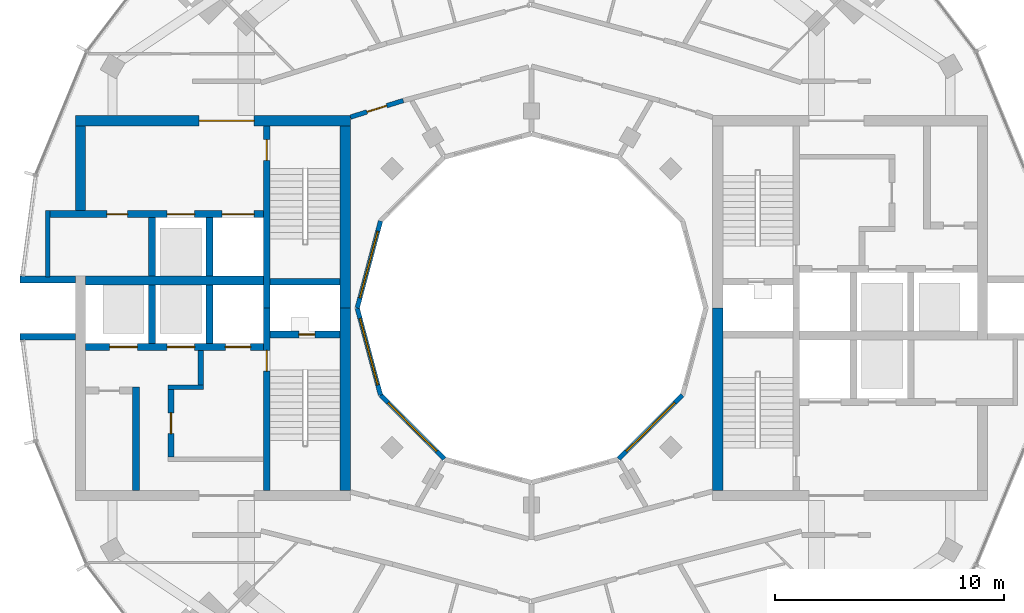
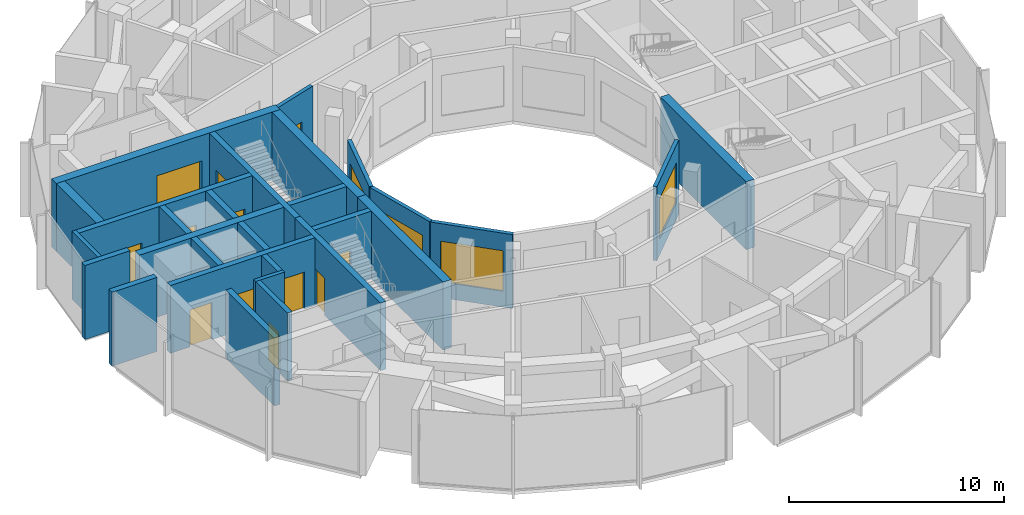
# One storey, part 9 of 14: 28 walls, 12 doors, 4 windows, 16 openings.
"""IFC4 building model written with IfcOpenShell, lengths in metres."""

from ifc_helpers import new_model, si_unit, direction, frame, frame_2d, origin, place, context, subcontext, project, spatial, rectangle, extrude, material, layer, layer_set, type_object, element, fill, save


model = new_model("IFC4")

# Units and contexts
model_context = context("Model", 3, precision=1e-05, world=origin(), true_north=direction((0.0, 1.0)))
body_context = subcontext(model_context, "Body", "Model", "MODEL_VIEW")
ifc_project = project(units=[si_unit("LENGTHUNIT", "METRE"), si_unit("AREAUNIT", "SQUARE_METRE"), si_unit("VOLUMEUNIT", "CUBIC_METRE"), si_unit("PLANEANGLEUNIT", "RADIAN"), si_unit("MASSUNIT", "GRAM", prefix="KILO")], contexts=[model_context])

# Site, building, storey
site_placement = place(None, origin())
site = spatial("IfcSite", under=ifc_project, at=site_placement, CompositionType="ELEMENT")
building_placement = place(site_placement, origin())
building = spatial("IfcBuilding", under=site, at=building_placement, Name="Torre Brocal", CompositionType="ELEMENT")
storey_placement = place(building_placement, frame((0.0, 0.0, 305.10009765625)))
storey = spatial("IfcBuildingStorey", under=building, at=storey_placement, Name="L70", CompositionType="ELEMENT", Elevation=305.10009765625)

# Walls
ifc_material_1 = material(Name="Masonry block", Category="masonry")
ifc_layer_1 = layer(ifc_material_1, 0.199951171875)
ifc_layer_set_1 = layer_set([ifc_layer_1], Name="Masonry block")
wall_type_1 = type_object("IfcWallType", Name="CORE PARTITION 200 UNDER 350 SLAB", PredefinedType="PARTITIONING", material=ifc_layer_set_1)
wall_1_placement = place(storey_placement, frame((58.89990234375, 79.25, 0.0), z_axis=(0.0, 0.0, 1.0), x_axis=(0.0, -1.0, 0.0)))
element("IfcWall", 1, at=wall_1_placement, inside=storey, type_object=wall_type_1, Name="Wall CP200-S350", PredefinedType="PARTITIONING", context=body_context, shape_type="SweptSolid", body=[
    extrude(rectangle(XDim=2.89990234375, YDim=0.199951171875, at=frame_2d((1.449951171875, 0.0))), origin(), (0.0, 0.0, 1.0), 3.849853515625),
])
ifc_material_2 = material(Name="Concrete C50", Category="concrete")
ifc_layer_2 = layer(ifc_material_2, 0.199951171875)
ifc_layer_set_2 = layer_set([ifc_layer_2], Name="Concrete C50")
wall_type_2 = type_object("IfcWallType", Name="CORE WALL 200 C50 UNDER 350 SLAB", PredefinedType="SHEAR", material=ifc_layer_set_2)
wall_2_placement = place(storey_placement, frame((65.699951171875, 71.550048828125, 0.0), z_axis=(0.0, 0.0, 1.0), x_axis=(-1.0, 0.0, 0.0)))
element("IfcWall", 2, at=wall_2_placement, inside=storey, type_object=wall_type_2, Name="Wall CW200-50-S350", PredefinedType="SHEAR", context=body_context, shape_type="SweptSolid", body=[
    extrude(rectangle(XDim=1.550048828125, YDim=0.199951171875, at=frame_2d((0.77490234375, 0.0))), origin(), (0.0, 0.0, 1.0), 3.849853515625),
])

# Wall, opening, door
ifc_material_3 = material(Name="Concrete C50", Category="concrete")
ifc_layer_3 = layer(ifc_material_3, 0.25)
ifc_layer_set_3 = layer_set([ifc_layer_3], Name="Concrete C50")
wall_type_3 = type_object("IfcWallType", Name="CORE WALL 250 C50 UNDER 350 SLAB", PredefinedType="SHEAR", material=ifc_layer_set_3)
wall_3_placement = place(storey_placement, frame((64.27490234375, 71.449951171875, 0.0), z_axis=(0.0, 0.0, 1.0), x_axis=(0.0, -1.0, 0.0)))
wall_3 = element("IfcWall", 3, at=wall_3_placement, inside=storey, type_object=wall_type_3, Name="Wall CW250-50-S350", PredefinedType="SHEAR", context=body_context, shape_type="SweptSolid", body=[
    extrude(rectangle(XDim=2.949951171875, YDim=0.25, at=frame_2d((1.47509765625, 0.0))), origin(), (0.0, 0.0, 1.0), 3.849853515625),
])
opening_1_placement = place(wall_3_placement, frame((1.02490234375, 0.0, 0.0)))
opening_1 = element("IfcOpeningElement", 4, at=opening_1_placement, cuts=wall_3, Name="Opening W-D19", PredefinedType="OPENING", context=body_context, shape_type="SweptSolid", body=[
    extrude(rectangle(XDim=0.89990234375, YDim=2.10009765625, at=frame_2d((0.449951171875, 1.050048828125))), frame((0.0, 0.135009765625, 0.0), z_axis=(0.0, -1.0, 0.0), x_axis=(1.0, 0.0, 0.0)), (0.0, 0.0, 1.0), 0.27001953125),
])
ifc_material_4 = material(Name="Steel A653", Category="steel")
door_type_1 = type_object("IfcDoorType", Name="LOBBY DOOR FD120 900X2100", OperationType="SINGLE_SWING_RIGHT", PredefinedType="DOOR", material=ifc_material_4)
door_1_placement = place(opening_1_placement, origin())
door_1 = element("IfcDoor", 5, at=door_1_placement, inside=storey, type_object=door_type_1, Name="Door W-D19", OperationType="SINGLE_SWING_LEFT", OverallHeight=2.10009765625, OverallWidth=0.89990234375, PredefinedType="DOOR", context=body_context, shape_type="SweptSolid", body=[
    extrude(rectangle(XDim=0.89990234375, YDim=2.10009765625, at=frame_2d((0.449951171875, 1.050048828125))), frame((0.0, 0.02490234375, 0.0), z_axis=(0.0, -1.0, 0.0), x_axis=(1.0, 0.0, 0.0)), (0.0, 0.0, 1.0), 0.050048828125),
])
fill(opening_1, door_1)

# Wall
wall_4_placement = place(storey_placement, frame((65.574951171875, 73.14990234375, 0.0), z_axis=(0.0, 0.0, 1.0), x_axis=(0.0, -1.0, 0.0)))
element("IfcWall", 6, at=wall_4_placement, inside=storey, type_object=wall_type_3, Name="Wall CW250-50-S350", PredefinedType="SHEAR", context=body_context, shape_type="SweptSolid", body=[
    extrude(rectangle(XDim=1.5, YDim=0.25, at=frame_2d((0.75, 0.0))), origin(), (0.0, 0.0, 1.0), 3.849853515625),
])

# Wall, opening, door
ifc_material_5 = material(Name="Concrete C50", Category="concrete")
ifc_layer_4 = layer(ifc_material_5, 0.300048828125)
ifc_layer_set_4 = layer_set([ifc_layer_4], Name="Concrete C50")
wall_type_4 = type_object("IfcWallType", Name="CORE WALL 300 C50 UNDER 350 SLAB", PredefinedType="SHEAR", material=ifc_layer_set_4)
wall_5_placement = place(storey_placement, frame((68.449951171875, 75.0, 0.0), z_axis=(0.0, 0.0, 1.0), x_axis=(0.0, -1.0, 0.0)))
wall_5 = element("IfcWall", 7, at=wall_5_placement, inside=storey, type_object=wall_type_4, Name="Wall CW300-50-S350", PredefinedType="SHEAR", context=body_context, shape_type="SweptSolid", body=[
    extrude(rectangle(XDim=7.949951171875, YDim=0.300048828125, at=frame_2d((3.97509765625, 0.0))), origin(), (0.0, 0.0, 1.0), 3.849853515625),
])
opening_2_placement = place(wall_5_placement, frame((1.85009765625, 0.0, 0.0)))
opening_2 = element("IfcOpeningElement", 8, at=opening_2_placement, cuts=wall_5, Name="Opening W-D02", PredefinedType="OPENING", context=body_context, shape_type="SweptSolid", body=[
    extrude(rectangle(XDim=0.89990234375, YDim=2.10009765625, at=frame_2d((0.449951171875, 1.050048828125))), frame((0.0, 0.159912109375, 0.0), z_axis=(0.0, -1.0, 0.0), x_axis=(1.0, 0.0, 0.0)), (0.0, 0.0, 1.0), 0.320068359375),
])
ifc_material_6 = material(Name="Steel A653", Category="steel")
door_type_2 = type_object("IfcDoorType", Name="STAIR DOOR FD120 900X2100", OperationType="SINGLE_SWING_RIGHT", PredefinedType="DOOR", material=ifc_material_6)
door_2_placement = place(opening_2_placement, origin())
door_2 = element("IfcDoor", 9, at=door_2_placement, inside=storey, type_object=door_type_2, Name="Door W-D02", OperationType="SINGLE_SWING_LEFT", OverallHeight=2.10009765625, OverallWidth=0.89990234375, PredefinedType="DOOR", context=body_context, shape_type="SweptSolid", body=[
    extrude(rectangle(XDim=0.89990234375, YDim=2.10009765625, at=frame_2d((0.449951171875, 1.050048828125))), frame((0.0, 0.02490234375, 0.0), z_axis=(0.0, -1.0, 0.0), x_axis=(1.0, 0.0, 0.0)), (0.0, 0.0, 1.0), 0.050048828125),
])
fill(opening_2, door_2)

wall_6_placement = place(storey_placement, frame((68.449951171875, 82.949951171875, 0.0), z_axis=(0.0, 0.0, 1.0), x_axis=(0.0, -1.0, 0.0)))
wall_6 = element("IfcWall", 10, at=wall_6_placement, inside=storey, type_object=wall_type_4, Name="Wall CW300-50-S350", PredefinedType="SHEAR", context=body_context, shape_type="SweptSolid", body=[
    extrude(rectangle(XDim=7.949951171875, YDim=0.300048828125, at=frame_2d((3.97509765625, 0.0))), origin(), (0.0, 0.0, 1.0), 3.849853515625),
])
opening_3_placement = place(wall_6_placement, frame((0.60009765625, 0.0, 0.0)))
opening_3 = element("IfcOpeningElement", 11, at=opening_3_placement, cuts=wall_6, Name="Opening W-D03", PredefinedType="OPENING", context=body_context, shape_type="SweptSolid", body=[
    extrude(rectangle(XDim=0.89990234375, YDim=2.10009765625, at=frame_2d((0.449951171875, 1.050048828125))), frame((0.0, 0.159912109375, 0.0), z_axis=(0.0, -1.0, 0.0), x_axis=(1.0, 0.0, 0.0)), (0.0, 0.0, 1.0), 0.320068359375),
])
door_3_placement = place(opening_3_placement, origin())
door_3 = element("IfcDoor", 12, at=door_3_placement, inside=storey, type_object=door_type_2, Name="Door W-D03", OperationType="SINGLE_SWING_LEFT", OverallHeight=2.10009765625, OverallWidth=0.89990234375, PredefinedType="DOOR", context=body_context, shape_type="SweptSolid", body=[
    extrude(rectangle(XDim=0.89990234375, YDim=2.10009765625, at=frame_2d((0.449951171875, 1.050048828125))), frame((0.0, 0.02490234375, 0.0), z_axis=(0.0, -1.0, 0.0), x_axis=(1.0, 0.0, 0.0)), (0.0, 0.0, 1.0), 0.050048828125),
])
fill(opening_3, door_3)

wall_7_placement = place(storey_placement, frame((71.64990234375, 73.85009765625, 0.0), z_axis=(0.0, 0.0, 1.0), x_axis=(-1.0, 0.0, 0.0)))
wall_7 = element("IfcWall", 13, at=wall_7_placement, inside=storey, type_object=wall_type_4, Name="Wall CW300-50-S350", PredefinedType="SHEAR", context=body_context, shape_type="SweptSolid", body=[
    extrude(rectangle(XDim=3.0498046875, YDim=0.300048828125, at=frame_2d((1.52490234375, 0.0))), origin(), (0.0, 0.0, 1.0), 3.849853515625),
])
opening_4_placement = place(wall_7_placement, frame((1.10009765625, 0.0, 0.0)))
opening_4 = element("IfcOpeningElement", 14, at=opening_4_placement, cuts=wall_7, Name="Opening W-D01", PredefinedType="OPENING", context=body_context, shape_type="SweptSolid", body=[
    extrude(rectangle(XDim=0.699951171875, YDim=2.0, at=frame_2d((0.35009765625, 1.0))), frame((0.0, 0.159912109375, 0.0), z_axis=(0.0, -1.0, 0.0), x_axis=(1.0, 0.0, 0.0)), (0.0, 0.0, 1.0), 0.320068359375),
])
ifc_material_7 = material(Name="Steel A653", Category="steel")
door_type_3 = type_object("IfcDoorType", Name="RISER DOOR FD120 700X2000", OperationType="SINGLE_SWING_LEFT", PredefinedType="DOOR", material=ifc_material_7)
door_4_placement = place(opening_4_placement, frame((0.699951171875, 0.0, 0.0), z_axis=(0.0, 0.0, 1.0), x_axis=(-1.0, 0.0, 0.0)))
door_4 = element("IfcDoor", 15, at=door_4_placement, inside=storey, type_object=door_type_3, Name="Door W-D01", OperationType="SINGLE_SWING_RIGHT", OverallHeight=2.0, OverallWidth=0.699951171875, PredefinedType="DOOR", context=body_context, shape_type="SweptSolid", body=[
    extrude(rectangle(XDim=0.699951171875, YDim=2.0, at=frame_2d((0.35009765625, 1.0))), frame((0.0, 0.02490234375, 0.0), z_axis=(0.0, -1.0, 0.0), x_axis=(1.0, 0.0, 0.0)), (0.0, 0.0, 1.0), 0.050048828125),
])
fill(opening_4, door_4)

# Wall
wall_8_placement = place(storey_placement, frame((71.64990234375, 76.14990234375, 0.0), z_axis=(0.0, 0.0, 1.0), x_axis=(-1.0, 0.0, 0.0)))
element("IfcWall", 16, at=wall_8_placement, inside=storey, type_object=wall_type_4, Name="Wall CW300-50-S350", PredefinedType="SHEAR", context=body_context, shape_type="SweptSolid", body=[
    extrude(rectangle(XDim=3.0498046875, YDim=0.300048828125, at=frame_2d((1.52490234375, 0.0))), origin(), (0.0, 0.0, 1.0), 3.849853515625),
])

# Wall, openings, doors
wall_9_placement = place(storey_placement, frame((68.300048828125, 73.300048828125, 0.0), z_axis=(0.0, 0.0, 1.0), x_axis=(-1.0, 0.0, 0.0)))
wall_9 = element("IfcWall", 17, at=wall_9_placement, inside=storey, type_object=wall_type_4, Name="Wall CW300-50-S350", PredefinedType="SHEAR", context=body_context, shape_type="SweptSolid", body=[
    extrude(rectangle(XDim=7.75, YDim=0.300048828125, at=frame_2d((3.875, 0.0))), origin(), (0.0, 0.0, 1.0), 3.849853515625),
])
opening_5_placement = place(wall_9_placement, frame((0.550048828125, 0.0, 0.0)))
opening_5 = element("IfcOpeningElement", 18, at=opening_5_placement, cuts=wall_9, Name="Opening LD", PredefinedType="OPENING", context=body_context, shape_type="SweptSolid", body=[
    extrude(rectangle(XDim=1.10009765625, YDim=2.10009765625, at=frame_2d((0.550048828125, 1.050048828125))), frame((0.0, 0.159912109375, 0.0), z_axis=(0.0, -1.0, 0.0), x_axis=(1.0, 0.0, 0.0)), (0.0, 0.0, 1.0), 0.320068359375),
])
opening_6_placement = place(wall_9_placement, frame((3.0, 0.0, 0.0)))
opening_6 = element("IfcOpeningElement", 19, at=opening_6_placement, cuts=wall_9, Name="Opening LD12", PredefinedType="OPENING", context=body_context, shape_type="SweptSolid", body=[
    extrude(rectangle(XDim=1.199951171875, YDim=2.10009765625, at=frame_2d((0.60009765625, 1.050048828125))), frame((0.0, 0.159912109375, 0.0), z_axis=(0.0, -1.0, 0.0), x_axis=(1.0, 0.0, 0.0)), (0.0, 0.0, 1.0), 0.320068359375),
])
opening_7_placement = place(wall_9_placement, frame((5.5, 0.0, 0.0)))
opening_7 = element("IfcOpeningElement", 20, at=opening_7_placement, cuts=wall_9, Name="Opening LD12", PredefinedType="OPENING", context=body_context, shape_type="SweptSolid", body=[
    extrude(rectangle(XDim=1.199951171875, YDim=2.10009765625, at=frame_2d((0.60009765625, 1.050048828125))), frame((0.0, 0.159912109375, 0.0), z_axis=(0.0, -1.0, 0.0), x_axis=(1.0, 0.0, 0.0)), (0.0, 0.0, 1.0), 0.320068359375),
])
ifc_material_8 = material(Name="Stainless steel AISI 316", Category="steel")
door_type_4 = type_object("IfcDoorType", Name="LIFT LANDING DOOR 1100X2100", OperationType="DOUBLE_DOOR_SLIDING", PredefinedType="DOOR", material=ifc_material_8)
door_5_placement = place(opening_5_placement, origin())
door_5 = element("IfcDoor", 21, at=door_5_placement, inside=storey, type_object=door_type_4, Name="Door LD", OperationType="DOUBLE_DOOR_SLIDING", OverallHeight=2.10009765625, OverallWidth=1.10009765625, PredefinedType="DOOR", context=body_context, shape_type="SweptSolid", body=[
    extrude(rectangle(XDim=1.10009765625, YDim=2.10009765625, at=frame_2d((0.550048828125, 1.050048828125))), frame((0.0, 0.02490234375, 0.0), z_axis=(0.0, -1.0, 0.0), x_axis=(1.0, 0.0, 0.0)), (0.0, 0.0, 1.0), 0.050048828125),
])
fill(opening_5, door_5)
ifc_material_9 = material(Name="Stainless steel AISI 316", Category="steel")
door_type_5 = type_object("IfcDoorType", Name="LIFT LANDING DOOR 1200X2100", OperationType="DOUBLE_DOOR_SLIDING", PredefinedType="DOOR", material=ifc_material_9)
door_6_placement = place(opening_6_placement, origin())
door_6 = element("IfcDoor", 22, at=door_6_placement, inside=storey, type_object=door_type_5, Name="Door LD12", OperationType="DOUBLE_DOOR_SLIDING", OverallHeight=2.10009765625, OverallWidth=1.199951171875, PredefinedType="DOOR", context=body_context, shape_type="SweptSolid", body=[
    extrude(rectangle(XDim=1.199951171875, YDim=2.10009765625, at=frame_2d((0.60009765625, 1.050048828125))), frame((0.0, 0.02490234375, 0.0), z_axis=(0.0, -1.0, 0.0), x_axis=(1.0, 0.0, 0.0)), (0.0, 0.0, 1.0), 0.050048828125),
])
fill(opening_6, door_6)
door_7_placement = place(opening_7_placement, origin())
door_7 = element("IfcDoor", 23, at=door_7_placement, inside=storey, type_object=door_type_5, Name="Door LD12", OperationType="DOUBLE_DOOR_SLIDING", OverallHeight=2.10009765625, OverallWidth=1.199951171875, PredefinedType="DOOR", context=body_context, shape_type="SweptSolid", body=[
    extrude(rectangle(XDim=1.199951171875, YDim=2.10009765625, at=frame_2d((0.60009765625, 1.050048828125))), frame((0.0, 0.02490234375, 0.0), z_axis=(0.0, -1.0, 0.0), x_axis=(1.0, 0.0, 0.0)), (0.0, 0.0, 1.0), 0.050048828125),
])
fill(opening_7, door_7)

wall_10_placement = place(storey_placement, frame((68.300048828125, 79.10009765625, 0.0), z_axis=(0.0, 0.0, 1.0), x_axis=(-1.0, 0.0, 0.0)))
wall_10 = element("IfcWall", 24, at=wall_10_placement, inside=storey, type_object=wall_type_4, Name="Wall CW300-50-S350", PredefinedType="SHEAR", context=body_context, shape_type="SweptSolid", body=[
    extrude(rectangle(XDim=9.300048828125, YDim=0.300048828125, at=frame_2d((4.64990234375, 0.0))), origin(), (0.0, 0.0, 1.0), 3.849853515625),
])
opening_8_placement = place(wall_10_placement, frame((0.39990234375, 0.0, 0.0)))
opening_8 = element("IfcOpeningElement", 25, at=opening_8_placement, cuts=wall_10, Name="Opening LD14", PredefinedType="OPENING", context=body_context, shape_type="SweptSolid", body=[
    extrude(rectangle(XDim=1.39990234375, YDim=2.10009765625, at=frame_2d((0.699951171875, 1.050048828125))), frame((0.0, 0.159912109375, 0.0), z_axis=(0.0, -1.0, 0.0), x_axis=(1.0, 0.0, 0.0)), (0.0, 0.0, 1.0), 0.320068359375),
])
opening_9_placement = place(wall_10_placement, frame((3.0, 0.0, 0.0)))
opening_9 = element("IfcOpeningElement", 26, at=opening_9_placement, cuts=wall_10, Name="Opening LD12", PredefinedType="OPENING", context=body_context, shape_type="SweptSolid", body=[
    extrude(rectangle(XDim=1.199951171875, YDim=2.10009765625, at=frame_2d((0.60009765625, 1.050048828125))), frame((0.0, 0.159912109375, 0.0), z_axis=(0.0, -1.0, 0.0), x_axis=(1.0, 0.0, 0.0)), (0.0, 0.0, 1.0), 0.320068359375),
])
opening_10_placement = place(wall_10_placement, frame((5.925048828125, 0.0, 0.0)))
opening_10 = element("IfcOpeningElement", 27, at=opening_10_placement, cuts=wall_10, Name="Opening W-D04", PredefinedType="OPENING", context=body_context, shape_type="SweptSolid", body=[
    extrude(rectangle(XDim=0.89990234375, YDim=2.10009765625, at=frame_2d((0.449951171875, 1.050048828125))), frame((0.0, 0.159912109375, 0.0), z_axis=(0.0, -1.0, 0.0), x_axis=(1.0, 0.0, 0.0)), (0.0, 0.0, 1.0), 0.320068359375),
])
door_8_placement = place(opening_9_placement, origin())
door_8 = element("IfcDoor", 28, at=door_8_placement, inside=storey, type_object=door_type_5, Name="Door LD12", OperationType="DOUBLE_DOOR_SLIDING", OverallHeight=2.10009765625, OverallWidth=1.199951171875, PredefinedType="DOOR", context=body_context, shape_type="SweptSolid", body=[
    extrude(rectangle(XDim=1.199951171875, YDim=2.10009765625, at=frame_2d((0.60009765625, 1.050048828125))), frame((0.0, 0.02490234375, 0.0), z_axis=(0.0, -1.0, 0.0), x_axis=(1.0, 0.0, 0.0)), (0.0, 0.0, 1.0), 0.050048828125),
])
fill(opening_9, door_8)
ifc_material_10 = material(Name="Stainless steel AISI 316", Category="steel")
door_type_6 = type_object("IfcDoorType", Name="LIFT LANDING DOOR 1400X2100", OperationType="DOUBLE_DOOR_SLIDING", PredefinedType="DOOR", material=ifc_material_10)
door_9_placement = place(opening_8_placement, origin())
door_9 = element("IfcDoor", 29, at=door_9_placement, inside=storey, type_object=door_type_6, Name="Door LD14", OperationType="DOUBLE_DOOR_SLIDING", OverallHeight=2.10009765625, OverallWidth=1.39990234375, PredefinedType="DOOR", context=body_context, shape_type="SweptSolid", body=[
    extrude(rectangle(XDim=1.39990234375, YDim=2.10009765625, at=frame_2d((0.699951171875, 1.050048828125))), frame((0.0, 0.02490234375, 0.0), z_axis=(0.0, -1.0, 0.0), x_axis=(1.0, 0.0, 0.0)), (0.0, 0.0, 1.0), 0.050048828125),
])
fill(opening_8, door_9)
ifc_material_11 = material(Name="Steel A653", Category="steel")
door_type_7 = type_object("IfcDoorType", Name="ROOM DOOR FD30S 900X2100", OperationType="SINGLE_SWING_LEFT", PredefinedType="DOOR", material=ifc_material_11)
door_10_placement = place(opening_10_placement, origin())
door_10 = element("IfcDoor", 30, at=door_10_placement, inside=storey, type_object=door_type_7, Name="Door W-D04", OperationType="SINGLE_SWING_LEFT", OverallHeight=2.10009765625, OverallWidth=0.89990234375, PredefinedType="DOOR", context=body_context, shape_type="SweptSolid", body=[
    extrude(rectangle(XDim=0.89990234375, YDim=2.10009765625, at=frame_2d((0.449951171875, 1.050048828125))), frame((0.0, 0.02490234375, 0.0), z_axis=(0.0, -1.0, 0.0), x_axis=(1.0, 0.0, 0.0)), (0.0, 0.0, 1.0), 0.050048828125),
])
fill(opening_10, door_10)

# Walls
for number, where, z_axis, x_axis, name in (
    (31, (65.949951171875, 76.0, 0.0), (0.0, 0.0, 1.0), (0.0, -1.0, 0.0), "Wall CW300-50-S350"),
    (32, (63.449951171875, 76.0, 0.0), (0.0, 0.0, 1.0), (0.0, -1.0, 0.0), "Wall CW300-50-S350"),
    (33, (65.949951171875, 78.949951171875, 0.0), (0.0, 0.0, 1.0), (0.0, -1.0, 0.0), "Wall CW300-50-S350"),
    (34, (63.449951171875, 78.949951171875, 0.0), (0.0, 0.0, 1.0), (0.0, -1.0, 0.0), "Wall CW300-50-S350"),
):
    element("IfcWall", number, at=place(storey_placement, frame(where, z_axis=z_axis, x_axis=x_axis)), inside=storey, type_object=wall_type_4, Name=name, PredefinedType="SHEAR", context=body_context, shape_type="SweptSolid", body=[
        extrude(rectangle(XDim=2.550048828125, YDim=0.300048828125, at=frame_2d((1.27490234375, 0.0))), origin(), (0.0, 0.0, 1.0), 3.849853515625),
    ])
wall_11_placement = place(storey_placement, frame((62.75, 71.550048828125, 0.0), z_axis=(0.0, 0.0, 1.0), x_axis=(0.0, -1.0, 0.0)))
element("IfcWall", 35, at=wall_11_placement, inside=storey, type_object=wall_type_4, Name="Wall CW300-50-S350", PredefinedType="SHEAR", context=body_context, shape_type="SweptSolid", body=[
    extrude(rectangle(XDim=4.5, YDim=0.300048828125, at=frame_2d((2.25, 0.0))), origin(), (0.0, 0.0, 1.0), 3.849853515625),
])
ifc_material_12 = material(Name="Concrete C50", Category="concrete")
ifc_layer_5 = layer(ifc_material_12, 0.39990234375)
ifc_layer_set_5 = layer_set([ifc_layer_5], Name="Concrete C50")
wall_type_5 = type_object("IfcWallType", Name="CORE WALL 400 C50 UNDER 350 SLAB", PredefinedType="SHEAR", material=ifc_layer_set_5)
wall_12_placement = place(storey_placement, frame((68.300048828125, 76.199951171875, 0.0), z_axis=(0.0, 0.0, 1.0), x_axis=(-1.0, 0.0, 0.0)))
element("IfcWall", 36, at=wall_12_placement, inside=storey, type_object=wall_type_5, Name="Wall CW400-50-S350", PredefinedType="SHEAR", context=body_context, shape_type="SweptSolid", body=[
    extrude(rectangle(XDim=7.75, YDim=0.39990234375, at=frame_2d((3.875, 0.0))), origin(), (0.0, 0.0, 1.0), 3.849853515625),
])
ifc_material_13 = material(Name="Concrete C50", Category="concrete")
ifc_layer_6 = layer(ifc_material_13, 0.449951171875)
ifc_layer_set_6 = layer_set([ifc_layer_6], Name="Concrete C50")
wall_type_6 = type_object("IfcWallType", Name="CORE WALL 450 C50 UNDER 350 SLAB", PredefinedType="SHEAR", material=ifc_layer_set_6)
wall_13_placement = place(storey_placement, frame((88.125, 67.050048828125, 0.0), z_axis=(0.0, 0.0, 1.0), x_axis=(0.0, 1.0, 0.0)))
element("IfcWall", 37, at=wall_13_placement, inside=storey, type_object=wall_type_6, Name="Wall CW450-50-S350", PredefinedType="SHEAR", context=body_context, shape_type="SweptSolid", body=[
    extrude(rectangle(XDim=7.949951171875, YDim=0.449951171875, at=frame_2d((3.97509765625, 0.0))), origin(), (0.0, 0.0, 1.0), 3.849853515625),
])

# Wall, opening, door
wall_14_placement = place(storey_placement, frame((72.10009765625, 83.175048828125, 0.0), z_axis=(0.0, 0.0, 1.0), x_axis=(-1.0, 0.0, 0.0)))
wall_14 = element("IfcWall", 38, at=wall_14_placement, inside=storey, type_object=wall_type_6, Name="Wall CW450-50-S350", PredefinedType="SHEAR", context=body_context, shape_type="SweptSolid", body=[
    extrude(rectangle(XDim=12.0, YDim=0.449951171875, at=frame_2d((6.0, 0.0))), origin(), (0.0, 0.0, 1.0), 3.849853515625),
])
opening_11_placement = place(wall_14_placement, frame((4.199951171875, 0.0, 0.0)))
opening_11 = element("IfcOpeningElement", 39, at=opening_11_placement, cuts=wall_14, Name="Opening W-D27", PredefinedType="OPENING", context=body_context, shape_type="SweptSolid", body=[
    extrude(rectangle(XDim=2.39990234375, YDim=2.39990234375, at=frame_2d((1.199951171875, 1.199951171875))), frame((0.0, 0.23486328125, 0.0), z_axis=(0.0, -1.0, 0.0), x_axis=(1.0, 0.0, 0.0)), (0.0, 0.0, 1.0), 0.469970703125),
])
ifc_material_14 = material(Name="Steel A653", Category="steel")
door_type_8 = type_object("IfcDoorType", Name="DOUBLE FIRE DOOR FD90 2400X2400", OperationType="DOUBLE_DOOR_SINGLE_SWING", PredefinedType="DOOR", material=ifc_material_14)
door_11_placement = place(opening_11_placement, origin())
door_11 = element("IfcDoor", 40, at=door_11_placement, inside=storey, type_object=door_type_8, Name="Door W-D27", OperationType="DOUBLE_DOOR_SINGLE_SWING", OverallHeight=2.39990234375, OverallWidth=2.39990234375, PredefinedType="DOOR", context=body_context, shape_type="SweptSolid", body=[
    extrude(rectangle(XDim=2.39990234375, YDim=2.39990234375, at=frame_2d((1.199951171875, 1.199951171875))), frame((0.0, 0.02490234375, 0.0), z_axis=(0.0, -1.0, 0.0), x_axis=(1.0, 0.0, 0.0)), (0.0, 0.0, 1.0), 0.050048828125),
])
fill(opening_11, door_11)

# Walls
for number, where, z_axis, x_axis, name in (
    (41, (71.875, 75.0, 0.0), (0.0, 0.0, 1.0), (0.0, -1.0, 0.0), "Wall CW450-50-S350"),
    (42, (71.875, 82.949951171875, 0.0), (0.0, 0.0, 1.0), (0.0, -1.0, 0.0), "Wall CW450-50-S350"),
):
    element("IfcWall", number, at=place(storey_placement, frame(where, z_axis=z_axis, x_axis=x_axis)), inside=storey, type_object=wall_type_6, Name=name, PredefinedType="SHEAR", context=body_context, shape_type="SweptSolid", body=[
        extrude(rectangle(XDim=7.949951171875, YDim=0.449951171875, at=frame_2d((3.97509765625, 0.0))), origin(), (0.0, 0.0, 1.0), 3.849853515625),
    ])
wall_15_placement = place(storey_placement, frame((60.324951171875, 82.949951171875, 0.0), z_axis=(0.0, 0.0, 1.0), x_axis=(0.0, -1.0, 0.0)))
element("IfcWall", 43, at=wall_15_placement, inside=storey, type_object=wall_type_6, Name="Wall CW450-50-S350", PredefinedType="SHEAR", context=body_context, shape_type="SweptSolid", body=[
    extrude(rectangle(XDim=3.699951171875, YDim=0.449951171875, at=frame_2d((1.85009765625, 0.0))), origin(), (0.0, 0.0, 1.0), 3.849853515625),
])
ifc_material_15 = material(Name="Concrete C50", Category="concrete")
ifc_layer_7 = layer(ifc_material_15, 0.300048828125)
ifc_layer_set_7 = layer_set([ifc_layer_7], Name="Concrete C50")
wall_type_7 = type_object("IfcWallType", Name="NOTCH RETURN WALL 300 C50", PredefinedType="NOTDEFINED", material=ifc_layer_set_7)
for number, where, z_axis, x_axis, name in (
    (44, (60.10009765625, 76.25, 0.0), (0.0, 0.0, 1.0), (-1.0, 0.0, 0.0), "NOTCH RETURN WALL"),
    (45, (60.10009765625, 73.75, 0.0), (0.0, 0.0, 1.0), (-1.0, 0.0, 0.0), "NOTCH RETURN WALL"),
):
    element("IfcWall", number, at=place(storey_placement, frame(where, z_axis=z_axis, x_axis=x_axis)), inside=storey, type_object=wall_type_7, Name=name, PredefinedType="NOTDEFINED", context=body_context, shape_type="SweptSolid", body=[
        extrude(rectangle(XDim=2.415771484375, YDim=0.300048828125, at=frame_2d((1.2080078125, 0.0))), origin(), (0.0, 0.0, 1.0), 4.199951171875),
    ])

# Wall, opening, door
ifc_material_16 = material(Name="Gypsum board", Category="Gypsum")
ifc_layer_8 = layer(ifc_material_16, 0.199951171875)
ifc_layer_set_8 = layer_set([ifc_layer_8], Name="Gypsum board")
wall_type_8 = type_object("IfcWallType", Name="PARTITION 200 EI60", PredefinedType="PARTITIONING", material=ifc_layer_set_8)
wall_16_placement = place(storey_placement, frame((72.10009765625, 83.33203125, 0.0), z_axis=(0.0, 0.0, 1.0), x_axis=(0.954233106619, 0.299063836383, 0.0)))
wall_16 = element("IfcWall", 46, at=wall_16_placement, inside=storey, type_object=wall_type_8, Name="CORRIDOR WALL", PredefinedType="PARTITIONING", context=body_context, shape_type="SweptSolid", body=[
    extrude(rectangle(XDim=2.4140625, YDim=0.199951171875, at=frame_2d((1.20703125, 0.0))), origin(), (0.0, 0.0, 1.0), 3.75),
])
opening_12_placement = place(wall_16_placement, frame((0.761962890625, 0.0, 0.0)))
opening_12 = element("IfcOpeningElement", 47, at=opening_12_placement, cuts=wall_16, Name="Opening N04-D16", PredefinedType="OPENING", context=body_context, shape_type="SweptSolid", body=[
    extrude(rectangle(XDim=0.89990234375, YDim=2.10009765625, at=frame_2d((0.449951171875, 1.050048828125))), frame((0.0, 0.10986328125, 0.0), z_axis=(0.0, -1.0, 0.0), x_axis=(1.0, 0.0, 0.0)), (0.0, 0.0, 1.0), 0.219970703125),
])
ifc_material_17 = material(Name="Timber", Category="wood")
door_type_9 = type_object("IfcDoorType", Name="ROOM DOOR 900X2100", OperationType="SINGLE_SWING_LEFT", PredefinedType="DOOR", material=ifc_material_17)
door_12_placement = place(opening_12_placement, frame((0.89990234375, 0.0, 0.0), z_axis=(0.0, 0.0, 1.0), x_axis=(-1.0, 0.0, 0.0)))
door_12 = element("IfcDoor", 48, at=door_12_placement, inside=storey, type_object=door_type_9, Name="N04-D16", OperationType="SINGLE_SWING_RIGHT", OverallHeight=2.10009765625, OverallWidth=0.89990234375, PredefinedType="DOOR", context=body_context, shape_type="SweptSolid", body=[
    extrude(rectangle(XDim=0.89990234375, YDim=2.10009765625, at=frame_2d((0.449951171875, 1.050048828125))), frame((0.0, 0.02490234375, 0.0), z_axis=(0.0, -1.0, 0.0), x_axis=(1.0, 0.0, 0.0)), (0.0, 0.0, 1.0), 0.050048828125),
])
fill(opening_12, door_12)

# Wall, opening, window
ifc_material_18 = material(Name="Concrete C40", Category="concrete")
ifc_layer_9 = layer(ifc_material_18, 0.199951171875)
ifc_layer_set_9 = layer_set([ifc_layer_9], Name="Concrete C40")
wall_type_9 = type_object("IfcWallType", Name="WELL FACADE WALL 200", PredefinedType="NOTDEFINED", material=ifc_layer_set_9)
wall_17_placement = place(storey_placement, frame((73.4150390625, 78.8017578125, 0.0), z_axis=(0.0, 0.0, 1.0), x_axis=(-0.258789828301, -0.965933654434, 0.0)))
wall_17 = element("IfcWall", 49, at=wall_17_placement, inside=storey, type_object=wall_type_9, Name="WELL FACADE WALL", PredefinedType="NOTDEFINED", context=body_context, shape_type="SweptSolid", body=[
    extrude(rectangle(XDim=3.935791015625, YDim=0.199951171875, at=frame_2d((1.9677734375, 0.0))), origin(), (0.0, 0.0, 1.0), 4.199951171875),
])
opening_13_placement = place(wall_17_placement, frame((0.468017578125, 0.0, 0.89990234375)))
opening_13 = element("IfcOpeningElement", 50, at=opening_13_placement, cuts=wall_17, Name="Opening W1", PredefinedType="OPENING", context=body_context, shape_type="SweptSolid", body=[
    extrude(rectangle(XDim=3.0, YDim=2.300048828125, at=frame_2d((1.5, 1.14990234375))), frame((0.0, 0.10986328125, 0.0), z_axis=(0.0, -1.0, 0.0), x_axis=(1.0, 0.0, 0.0)), (0.0, 0.0, 1.0), 0.219970703125),
])
ifc_material_19 = material(Name="Aluminium and glass", Category="aluminium")
window_type = type_object("IfcWindowType", Name="WELL WINDOW 3000X2300", PartitioningType="SINGLE_PANEL", PredefinedType="WINDOW", material=ifc_material_19)
window_1_placement = place(opening_13_placement, origin())
window_1 = element("IfcWindow", 51, at=window_1_placement, inside=storey, type_object=window_type, Name="WELL WINDOW 3000X2300", OverallHeight=2.300048828125, OverallWidth=3.0, PartitioningType="SINGLE_PANEL", PredefinedType="WINDOW", context=body_context, shape_type="SweptSolid", body=[
    extrude(rectangle(XDim=3.0, YDim=2.300048828125, at=frame_2d((1.5, 1.14990234375))), frame((0.0, 0.030029296875, 0.0), z_axis=(0.0, -1.0, 0.0), x_axis=(1.0, 0.0, 0.0)), (0.0, 0.0, 1.0), 0.06005859375),
])
fill(opening_13, window_1)

wall_18_placement = place(storey_placement, frame((72.396484375, 75.0, 0.0), z_axis=(0.0, 0.0, 1.0), x_axis=(0.258789828301, -0.965933654434, 0.0)))
wall_18 = element("IfcWall", 52, at=wall_18_placement, inside=storey, type_object=wall_type_9, Name="WELL FACADE WALL", PredefinedType="NOTDEFINED", context=body_context, shape_type="SweptSolid", body=[
    extrude(rectangle(XDim=3.935791015625, YDim=0.199951171875, at=frame_2d((1.9677734375, 0.0))), origin(), (0.0, 0.0, 1.0), 4.199951171875),
])
opening_14_placement = place(wall_18_placement, frame((0.468017578125, 0.0, 0.89990234375)))
opening_14 = element("IfcOpeningElement", 53, at=opening_14_placement, cuts=wall_18, Name="Opening W1", PredefinedType="OPENING", context=body_context, shape_type="SweptSolid", body=[
    extrude(rectangle(XDim=3.0, YDim=2.300048828125, at=frame_2d((1.5, 1.14990234375))), frame((0.0, 0.10986328125, 0.0), z_axis=(0.0, -1.0, 0.0), x_axis=(1.0, 0.0, 0.0)), (0.0, 0.0, 1.0), 0.219970703125),
])
window_2_placement = place(opening_14_placement, origin())
window_2 = element("IfcWindow", 54, at=window_2_placement, inside=storey, type_object=window_type, Name="WELL WINDOW 3000X2300", OverallHeight=2.300048828125, OverallWidth=3.0, PartitioningType="SINGLE_PANEL", PredefinedType="WINDOW", context=body_context, shape_type="SweptSolid", body=[
    extrude(rectangle(XDim=3.0, YDim=2.300048828125, at=frame_2d((1.5, 1.14990234375))), frame((0.0, 0.030029296875, 0.0), z_axis=(0.0, -1.0, 0.0), x_axis=(1.0, 0.0, 0.0)), (0.0, 0.0, 1.0), 0.06005859375),
])
fill(opening_14, window_2)

wall_19_placement = place(storey_placement, frame((73.4150390625, 71.1982421875, 0.0), z_axis=(0.0, 0.0, 1.0), x_axis=(0.707106781187, -0.707106781187, 0.0)))
wall_19 = element("IfcWall", 55, at=wall_19_placement, inside=storey, type_object=wall_type_9, Name="WELL FACADE WALL", PredefinedType="NOTDEFINED", context=body_context, shape_type="SweptSolid", body=[
    extrude(rectangle(XDim=3.93603515625, YDim=0.199951171875, at=frame_2d((1.968017578125, 0.0))), origin(), (0.0, 0.0, 1.0), 4.199951171875),
])
opening_15_placement = place(wall_19_placement, frame((0.468017578125, 0.0, 0.89990234375)))
opening_15 = element("IfcOpeningElement", 56, at=opening_15_placement, cuts=wall_19, Name="Opening W1", PredefinedType="OPENING", context=body_context, shape_type="SweptSolid", body=[
    extrude(rectangle(XDim=3.0, YDim=2.300048828125, at=frame_2d((1.5, 1.14990234375))), frame((0.0, 0.10986328125, 0.0), z_axis=(0.0, -1.0, 0.0), x_axis=(1.0, 0.0, 0.0)), (0.0, 0.0, 1.0), 0.219970703125),
])
window_3_placement = place(opening_15_placement, origin())
window_3 = element("IfcWindow", 57, at=window_3_placement, inside=storey, type_object=window_type, Name="WELL WINDOW 3000X2300", OverallHeight=2.300048828125, OverallWidth=3.0, PartitioningType="SINGLE_PANEL", PredefinedType="WINDOW", context=body_context, shape_type="SweptSolid", body=[
    extrude(rectangle(XDim=3.0, YDim=2.300048828125, at=frame_2d((1.5, 1.14990234375))), frame((0.0, 0.030029296875, 0.0), z_axis=(0.0, -1.0, 0.0), x_axis=(1.0, 0.0, 0.0)), (0.0, 0.0, 1.0), 0.06005859375),
])
fill(opening_15, window_3)

wall_20_placement = place(storey_placement, frame((83.8017578125, 68.4150390625, 0.0), z_axis=(0.0, 0.0, 1.0), x_axis=(0.707106781187, 0.707106781187, 0.0)))
wall_20 = element("IfcWall", 58, at=wall_20_placement, inside=storey, type_object=wall_type_9, Name="WELL FACADE WALL", PredefinedType="NOTDEFINED", context=body_context, shape_type="SweptSolid", body=[
    extrude(rectangle(XDim=3.93603515625, YDim=0.199951171875, at=frame_2d((1.968017578125, 0.0))), origin(), (0.0, 0.0, 1.0), 4.199951171875),
])
opening_16_placement = place(wall_20_placement, frame((0.468017578125, 0.0, 0.89990234375)))
opening_16 = element("IfcOpeningElement", 59, at=opening_16_placement, cuts=wall_20, Name="Opening W1", PredefinedType="OPENING", context=body_context, shape_type="SweptSolid", body=[
    extrude(rectangle(XDim=3.0, YDim=2.300048828125, at=frame_2d((1.5, 1.14990234375))), frame((0.0, 0.10986328125, 0.0), z_axis=(0.0, -1.0, 0.0), x_axis=(1.0, 0.0, 0.0)), (0.0, 0.0, 1.0), 0.219970703125),
])
window_4_placement = place(opening_16_placement, origin())
window_4 = element("IfcWindow", 60, at=window_4_placement, inside=storey, type_object=window_type, Name="WELL WINDOW 3000X2300", OverallHeight=2.300048828125, OverallWidth=3.0, PartitioningType="SINGLE_PANEL", PredefinedType="WINDOW", context=body_context, shape_type="SweptSolid", body=[
    extrude(rectangle(XDim=3.0, YDim=2.300048828125, at=frame_2d((1.5, 1.14990234375))), frame((0.0, 0.030029296875, 0.0), z_axis=(0.0, -1.0, 0.0), x_axis=(1.0, 0.0, 0.0)), (0.0, 0.0, 1.0), 0.06005859375),
])
fill(opening_16, window_4)

save(model, "model.ifc")
